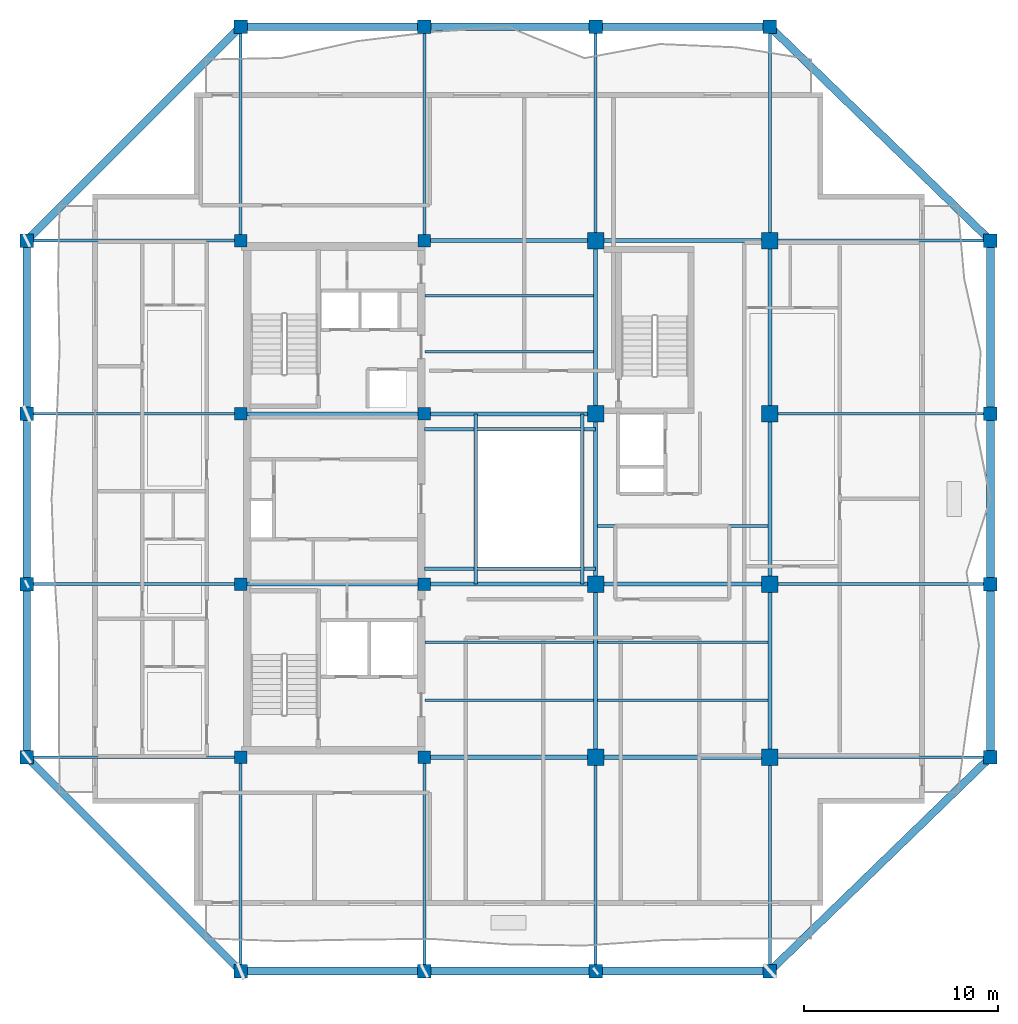
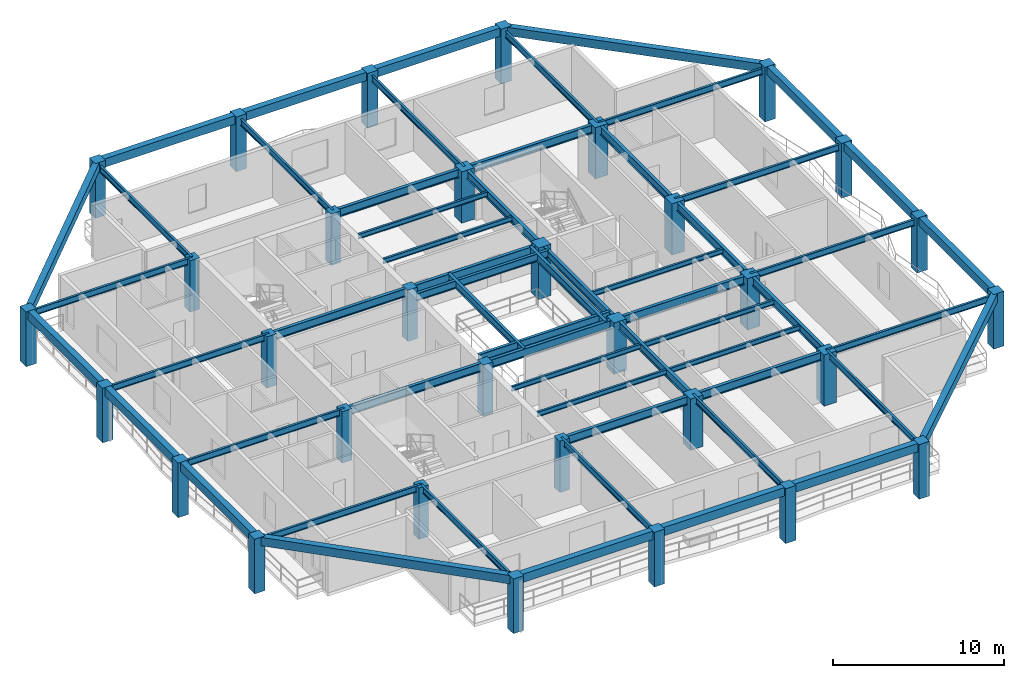
# One storey, part 1 of 11: 58 beams, 32 columns.
"""IFC4 building model written with IfcOpenShell, lengths in metres."""

from ifc_helpers import new_model, si_unit, direction, frame, origin, origin_2d, place, context, subcontext, project, spatial, rectangle, i_section, extrude, material, material_profile, profile_set, type_object, element, save


model = new_model("IFC4")

# Units and contexts
model_context = context("Model", 3, precision=1e-05, world=origin(), true_north=direction((0.0, 1.0)))
body_context = subcontext(model_context, "Body", "Model", "MODEL_VIEW")
ifc_project = project(units=[si_unit("LENGTHUNIT", "METRE"), si_unit("AREAUNIT", "SQUARE_METRE"), si_unit("VOLUMEUNIT", "CUBIC_METRE"), si_unit("PLANEANGLEUNIT", "RADIAN"), si_unit("MASSUNIT", "GRAM", prefix="KILO")], contexts=[model_context])

# Site, building, storey
site_placement = place(None, origin())
site = spatial("IfcSite", under=ifc_project, at=site_placement, CompositionType="ELEMENT")
building_placement = place(site_placement, origin())
building = spatial("IfcBuilding", under=site, at=building_placement, Name="Kundavana Baori Tower", CompositionType="ELEMENT")
storey_placement = place(building_placement, frame((0.0, 0.0, 264.800048828125)))
storey = spatial("IfcBuildingStorey", under=building, at=storey_placement, Name="L65", CompositionType="ELEMENT", Elevation=264.800048828125)

# Columns
ifc_material_1 = material(Name="Concrete C50/60", Category="concrete")
ifc_material_profile_1 = material_profile(ifc_material_1, rectangle(XDim=0.699951171875, YDim=0.699951171875, at=origin_2d()), Name="RC PF 700x700")
ifc_profile_set_1 = profile_set([ifc_material_profile_1], Name="Concrete C50/60")
column_type_1 = type_object("IfcColumnType", Name="COL-PF-700", PredefinedType="COLUMN", material=ifc_profile_set_1)
for number, where, z_axis, x_axis, name in (
    (1, (15.449951171875, 4.199951171875, 0.0), (0.0, 0.0, 1.0), (1.0, 0.0, 0.0), "L65 Stone-Clad Perimeter Frame Column PF-S1"),
    (2, (15.449951171875, 53.0, 0.0), (0.0, 0.0, 1.0), (1.0, 0.0, 0.0), "L65 Stone-Clad Perimeter Frame Column PF-N1"),
    (3, (24.949951171875, 4.199951171875, 0.0), (0.0, 0.0, 1.0), (1.0, 0.0, 0.0), "L65 Stone-Clad Perimeter Frame Column PF-S2"),
    (4, (24.949951171875, 53.0, 0.0), (0.0, 0.0, 1.0), (1.0, 0.0, 0.0), "L65 Stone-Clad Perimeter Frame Column PF-N2"),
    (5, (33.800048828125, 4.199951171875, 0.0), (0.0, 0.0, 1.0), (1.0, 0.0, 0.0), "L65 Stone-Clad Perimeter Frame Column PF-S3"),
    (6, (33.800048828125, 53.0, 0.0), (0.0, 0.0, 1.0), (1.0, 0.0, 0.0), "L65 Stone-Clad Perimeter Frame Column PF-N3"),
    (7, (42.800048828125, 4.199951171875, 0.0), (0.0, 0.0, 1.0), (1.0, 0.0, 0.0), "L65 Stone-Clad Perimeter Frame Column PF-S4"),
    (8, (42.800048828125, 53.0, 0.0), (0.0, 0.0, 1.0), (1.0, 0.0, 0.0), "L65 Stone-Clad Perimeter Frame Column PF-N4"),
    (9, (4.39990234375, 15.25, 0.0), (0.0, 0.0, 1.0), (1.0, 0.0, 0.0), "L65 Stone-Clad Perimeter Frame Column PF-W1"),
    (10, (54.199951171875, 15.25, 0.0), (0.0, 0.0, 1.0), (1.0, 0.0, 0.0), "L65 Stone-Clad Perimeter Frame Column PF-E1"),
    (11, (4.39990234375, 24.199951171875, 0.0), (0.0, 0.0, 1.0), (1.0, 0.0, 0.0), "L65 Stone-Clad Perimeter Frame Column PF-W2"),
    (12, (54.199951171875, 24.199951171875, 0.0), (0.0, 0.0, 1.0), (1.0, 0.0, 0.0), "L65 Stone-Clad Perimeter Frame Column PF-E2"),
    (13, (4.39990234375, 33.0, 0.0), (0.0, 0.0, 1.0), (1.0, 0.0, 0.0), "L65 Stone-Clad Perimeter Frame Column PF-W3"),
    (14, (54.199951171875, 33.0, 0.0), (0.0, 0.0, 1.0), (1.0, 0.0, 0.0), "L65 Stone-Clad Perimeter Frame Column PF-E3"),
    (15, (4.39990234375, 41.949951171875, 0.0), (0.0, 0.0, 1.0), (1.0, 0.0, 0.0), "L65 Stone-Clad Perimeter Frame Column PF-W4"),
    (16, (54.199951171875, 41.949951171875, 0.0), (0.0, 0.0, 1.0), (1.0, 0.0, 0.0), "L65 Stone-Clad Perimeter Frame Column PF-E4"),
):
    element("IfcColumn", number, at=place(storey_placement, frame(where, z_axis=z_axis, x_axis=x_axis)), inside=storey, type_object=column_type_1, Name=name, PredefinedType="COLUMN", context=body_context, shape_type="SweptSolid", body=[
        extrude(rectangle(XDim=0.699951171875, YDim=0.699951171875, at=origin_2d()), origin(), (0.0, 0.0, 1.0), 3.89990234375),
    ])
ifc_material_2 = material(Name="Concrete C50/60", Category="concrete")
ifc_material_profile_2 = material_profile(ifc_material_2, rectangle(XDim=0.64990234375, YDim=0.64990234375, at=origin_2d()), Name="RC 650x650")
ifc_profile_set_2 = profile_set([ifc_material_profile_2], Name="Concrete C50/60")
column_type_2 = type_object("IfcColumnType", Name="COL-RC-650", PredefinedType="COLUMN", material=ifc_profile_set_2)
for number, where, z_axis, x_axis, name in (
    (17, (15.449951171875, 15.25, 0.0), (0.0, 0.0, 1.0), (1.0, 0.0, 0.0), "L65 Interior Column IC-3C"),
    (18, (15.449951171875, 24.199951171875, 0.0), (0.0, 0.0, 1.0), (1.0, 0.0, 0.0), "L65 Interior Column IC-3D"),
    (19, (15.449951171875, 33.0, 0.0), (0.0, 0.0, 1.0), (1.0, 0.0, 0.0), "L65 Interior Column IC-3E"),
    (20, (15.449951171875, 41.949951171875, 0.0), (0.0, 0.0, 1.0), (1.0, 0.0, 0.0), "L65 Interior Column IC-3F"),
    (21, (24.949951171875, 15.25, 0.0), (0.0, 0.0, 1.0), (1.0, 0.0, 0.0), "L65 Interior Column IC-4C"),
    (22, (24.949951171875, 24.199951171875, 0.0), (0.0, 0.0, 1.0), (1.0, 0.0, 0.0), "L65 Interior Column IC-4D"),
    (23, (24.949951171875, 33.0, 0.0), (0.0, 0.0, 1.0), (1.0, 0.0, 0.0), "L65 Interior Column IC-4E"),
    (24, (24.949951171875, 41.949951171875, 0.0), (0.0, 0.0, 1.0), (1.0, 0.0, 0.0), "L65 Interior Column IC-4F"),
):
    element("IfcColumn", number, at=place(storey_placement, frame(where, z_axis=z_axis, x_axis=x_axis)), inside=storey, type_object=column_type_2, Name=name, PredefinedType="COLUMN", context=body_context, shape_type="SweptSolid", body=[
        extrude(rectangle(XDim=0.64990234375, YDim=0.64990234375, at=origin_2d()), origin(), (0.0, 0.0, 1.0), 3.659912109375),
    ])
ifc_material_3 = material(Name="Concrete C50/60", Category="concrete")
ifc_material_profile_3 = material_profile(ifc_material_3, rectangle(XDim=0.85009765625, YDim=0.85009765625, at=origin_2d()), Name="RC 850x850")
ifc_profile_set_3 = profile_set([ifc_material_profile_3], Name="Concrete C50/60")
column_type_3 = type_object("IfcColumnType", Name="COL-RC-850", PredefinedType="COLUMN", material=ifc_profile_set_3)
for number, where, z_axis, x_axis, name in (
    (25, (33.800048828125, 15.25, 0.0), (0.0, 0.0, 1.0), (1.0, 0.0, 0.0), "L65 Interior Column IC-5C"),
    (26, (33.800048828125, 24.199951171875, 0.0), (0.0, 0.0, 1.0), (1.0, 0.0, 0.0), "L65 Interior Column IC-5D"),
    (27, (33.800048828125, 33.0, 0.0), (0.0, 0.0, 1.0), (1.0, 0.0, 0.0), "L65 Interior Column IC-5E"),
    (28, (33.800048828125, 41.949951171875, 0.0), (0.0, 0.0, 1.0), (1.0, 0.0, 0.0), "L65 Interior Column IC-5F"),
    (29, (42.800048828125, 15.25, 0.0), (0.0, 0.0, 1.0), (1.0, 0.0, 0.0), "L65 Interior Column IC-6C"),
    (30, (42.800048828125, 24.199951171875, 0.0), (0.0, 0.0, 1.0), (1.0, 0.0, 0.0), "L65 Interior Column IC-6D"),
    (31, (42.800048828125, 33.0, 0.0), (0.0, 0.0, 1.0), (1.0, 0.0, 0.0), "L65 Interior Column IC-6E"),
    (32, (42.800048828125, 41.949951171875, 0.0), (0.0, 0.0, 1.0), (1.0, 0.0, 0.0), "L65 Interior Column IC-6F"),
):
    element("IfcColumn", number, at=place(storey_placement, frame(where, z_axis=z_axis, x_axis=x_axis)), inside=storey, type_object=column_type_3, Name=name, PredefinedType="COLUMN", context=body_context, shape_type="SweptSolid", body=[
        extrude(rectangle(XDim=0.85009765625, YDim=0.85009765625, at=origin_2d()), origin(), (0.0, 0.0, 1.0), 3.659912109375),
    ])

# Beams
ifc_material_4 = material(Name="Structural Steel S355JR", Category="steel")
ifc_material_profile_4 = material_profile(ifc_material_4, i_section(OverallWidth=0.139892578125, OverallDepth=0.35009765625, WebThickness=0.008056640625, FlangeThickness=0.01416015625, FilletRadius=0.013916015625, at=origin_2d()), Name="ISMB 350")
ifc_profile_set_4 = profile_set([ifc_material_profile_4], Name="Structural Steel S355JR")
beam_type_1 = type_object("IfcBeamType", Name="BM-JST-350", PredefinedType="JOIST", material=ifc_profile_set_4)
for number, where, z_axis, x_axis, name in (
    (33, (24.97998046875, 18.199951171875, 3.48486328125), (1.0, 0.0, 0.0), (0.0, 1.0, 0.0), "L65 Central Bay Composite Floor Joist C1"),
    (34, (24.97998046875, 21.199951171875, 3.48486328125), (1.0, 0.0, 0.0), (0.0, 1.0, 0.0), "L65 Central Bay Composite Floor Joist C2"),
    (35, (24.97998046875, 36.199951171875, 3.48486328125), (1.0, 0.0, 0.0), (0.0, 1.0, 0.0), "L65 Central Bay Composite Floor Joist C3"),
    (36, (24.97998046875, 39.10009765625, 3.48486328125), (1.0, 0.0, 0.0), (0.0, 1.0, 0.0), "L65 Central Bay Composite Floor Joist C4"),
):
    element("IfcBeam", number, at=place(storey_placement, frame(where, z_axis=z_axis, x_axis=x_axis)), inside=storey, type_object=beam_type_1, Name=name, PredefinedType="JOIST", context=body_context, shape_type="SweptSolid", body=[
        extrude(i_section(OverallWidth=0.139892578125, OverallDepth=0.35009765625, WebThickness=0.008056640625, FlangeThickness=0.01416015625, FilletRadius=0.013916015625, at=origin_2d()), origin(), (0.0, 0.0, 1.0), 8.715087890625),
    ])
for number, where, z_axis, x_axis, name in (
    (37, (33.905029296875, 18.199951171875, 3.48486328125), (1.0, 0.0, 0.0), (0.0, 1.0, 0.0), "L65 East Bay Composite Floor Joist E1"),
    (38, (33.905029296875, 21.199951171875, 3.48486328125), (1.0, 0.0, 0.0), (0.0, 1.0, 0.0), "L65 East Bay Composite Floor Joist E2"),
    (39, (33.905029296875, 27.199951171875, 3.48486328125), (1.0, 0.0, 0.0), (0.0, 1.0, 0.0), "L65 East Bay Composite Floor Joist E3"),
):
    element("IfcBeam", number, at=place(storey_placement, frame(where, z_axis=z_axis, x_axis=x_axis)), inside=storey, type_object=beam_type_1, Name=name, PredefinedType="JOIST", context=body_context, shape_type="SweptSolid", body=[
        extrude(i_section(OverallWidth=0.139892578125, OverallDepth=0.35009765625, WebThickness=0.008056640625, FlangeThickness=0.01416015625, FilletRadius=0.013916015625, at=origin_2d()), origin(), (0.0, 0.0, 1.0), 8.7900390625),
    ])
ifc_material_5 = material(Name="Concrete C50/60", Category="concrete")
ifc_material_profile_5 = material_profile(ifc_material_5, rectangle(XDim=0.39990234375, YDim=0.60009765625, at=origin_2d()), Name="RC BM 400x600")
ifc_profile_set_5 = profile_set([ifc_material_profile_5], Name="Concrete C50/60")
beam_type_2 = type_object("IfcBeamType", Name="BM-PF-600", PredefinedType="SPANDREL", material=ifc_profile_set_5)
beam_1_placement = place(storey_placement, frame((15.449951171875, 4.199951171875, 3.599853515625), z_axis=(1.0, 0.0, 0.0), x_axis=(0.0, 1.0, 0.0)))
element("IfcBeam", 40, at=beam_1_placement, inside=storey, type_object=beam_type_2, Name="L65 Perimeter Frame Ring Beam S1", PredefinedType="SPANDREL", context=body_context, shape_type="SweptSolid", body=[
    extrude(rectangle(XDim=0.39990234375, YDim=0.60009765625, at=origin_2d()), origin(), (0.0, 0.0, 1.0), 9.5),
])
beam_2_placement = place(storey_placement, frame((24.949951171875, 4.199951171875, 3.599853515625), z_axis=(1.0, 0.0, 0.0), x_axis=(0.0, 1.0, 0.0)))
element("IfcBeam", 41, at=beam_2_placement, inside=storey, type_object=beam_type_2, Name="L65 Perimeter Frame Ring Beam S2", PredefinedType="SPANDREL", context=body_context, shape_type="SweptSolid", body=[
    extrude(rectangle(XDim=0.39990234375, YDim=0.60009765625, at=origin_2d()), origin(), (0.0, 0.0, 1.0), 8.85009765625),
])
beam_3_placement = place(storey_placement, frame((33.800048828125, 4.199951171875, 3.599853515625), z_axis=(1.0, 0.0, 0.0), x_axis=(0.0, 1.0, 0.0)))
element("IfcBeam", 42, at=beam_3_placement, inside=storey, type_object=beam_type_2, Name="L65 Perimeter Frame Ring Beam S3", PredefinedType="SPANDREL", context=body_context, shape_type="SweptSolid", body=[
    extrude(rectangle(XDim=0.39990234375, YDim=0.60009765625, at=origin_2d()), origin(), (0.0, 0.0, 1.0), 9.0),
])
beam_4_placement = place(storey_placement, frame((15.449951171875, 53.0, 3.599853515625), z_axis=(1.0, 0.0, 0.0), x_axis=(0.0, 1.0, 0.0)))
element("IfcBeam", 43, at=beam_4_placement, inside=storey, type_object=beam_type_2, Name="L65 Perimeter Frame Ring Beam N1", PredefinedType="SPANDREL", context=body_context, shape_type="SweptSolid", body=[
    extrude(rectangle(XDim=0.39990234375, YDim=0.60009765625, at=origin_2d()), origin(), (0.0, 0.0, 1.0), 9.5),
])
beam_5_placement = place(storey_placement, frame((24.949951171875, 53.0, 3.599853515625), z_axis=(1.0, 0.0, 0.0), x_axis=(0.0, 1.0, 0.0)))
element("IfcBeam", 44, at=beam_5_placement, inside=storey, type_object=beam_type_2, Name="L65 Perimeter Frame Ring Beam N2", PredefinedType="SPANDREL", context=body_context, shape_type="SweptSolid", body=[
    extrude(rectangle(XDim=0.39990234375, YDim=0.60009765625, at=origin_2d()), origin(), (0.0, 0.0, 1.0), 8.85009765625),
])
beam_6_placement = place(storey_placement, frame((33.800048828125, 53.0, 3.599853515625), z_axis=(1.0, 0.0, 0.0), x_axis=(0.0, 1.0, 0.0)))
element("IfcBeam", 45, at=beam_6_placement, inside=storey, type_object=beam_type_2, Name="L65 Perimeter Frame Ring Beam N3", PredefinedType="SPANDREL", context=body_context, shape_type="SweptSolid", body=[
    extrude(rectangle(XDim=0.39990234375, YDim=0.60009765625, at=origin_2d()), origin(), (0.0, 0.0, 1.0), 9.0),
])
beam_7_placement = place(storey_placement, frame((4.39990234375, 15.25, 3.599853515625), z_axis=(0.0, 1.0, 0.0), x_axis=(-1.0, 0.0, 0.0)))
element("IfcBeam", 46, at=beam_7_placement, inside=storey, type_object=beam_type_2, Name="L65 Perimeter Frame Ring Beam W1", PredefinedType="SPANDREL", context=body_context, shape_type="SweptSolid", body=[
    extrude(rectangle(XDim=0.39990234375, YDim=0.60009765625, at=origin_2d()), origin(), (0.0, 0.0, 1.0), 8.949951171875),
])
beam_8_placement = place(storey_placement, frame((4.39990234375, 24.199951171875, 3.599853515625), z_axis=(0.0, 1.0, 0.0), x_axis=(-1.0, 0.0, 0.0)))
element("IfcBeam", 47, at=beam_8_placement, inside=storey, type_object=beam_type_2, Name="L65 Perimeter Frame Ring Beam W2", PredefinedType="SPANDREL", context=body_context, shape_type="SweptSolid", body=[
    extrude(rectangle(XDim=0.39990234375, YDim=0.60009765625, at=origin_2d()), origin(), (0.0, 0.0, 1.0), 8.800048828125),
])
for number, where, z_axis, x_axis, name in (
    (48, (4.39990234375, 33.0, 3.599853515625), (0.0, 1.0, 0.0), (-1.0, 0.0, 0.0), "L65 Perimeter Frame Ring Beam W3"),
    (49, (54.199951171875, 15.25, 3.599853515625), (0.0, 1.0, 0.0), (-1.0, 0.0, 0.0), "L65 Perimeter Frame Ring Beam E1"),
):
    element("IfcBeam", number, at=place(storey_placement, frame(where, z_axis=z_axis, x_axis=x_axis)), inside=storey, type_object=beam_type_2, Name=name, PredefinedType="SPANDREL", context=body_context, shape_type="SweptSolid", body=[
        extrude(rectangle(XDim=0.39990234375, YDim=0.60009765625, at=origin_2d()), origin(), (0.0, 0.0, 1.0), 8.949951171875),
    ])
beam_9_placement = place(storey_placement, frame((54.199951171875, 24.199951171875, 3.599853515625), z_axis=(0.0, 1.0, 0.0), x_axis=(-1.0, 0.0, 0.0)))
element("IfcBeam", 50, at=beam_9_placement, inside=storey, type_object=beam_type_2, Name="L65 Perimeter Frame Ring Beam E2", PredefinedType="SPANDREL", context=body_context, shape_type="SweptSolid", body=[
    extrude(rectangle(XDim=0.39990234375, YDim=0.60009765625, at=origin_2d()), origin(), (0.0, 0.0, 1.0), 8.800048828125),
])
beam_10_placement = place(storey_placement, frame((54.199951171875, 33.0, 3.599853515625), z_axis=(0.0, 1.0, 0.0), x_axis=(-1.0, 0.0, 0.0)))
element("IfcBeam", 51, at=beam_10_placement, inside=storey, type_object=beam_type_2, Name="L65 Perimeter Frame Ring Beam E3", PredefinedType="SPANDREL", context=body_context, shape_type="SweptSolid", body=[
    extrude(rectangle(XDim=0.39990234375, YDim=0.60009765625, at=origin_2d()), origin(), (0.0, 0.0, 1.0), 8.949951171875),
])
beam_11_placement = place(storey_placement, frame((15.449951171875, 4.199951171875, 3.599853515625), z_axis=(-0.707106781187, 0.707106781187, 0.0), x_axis=(-0.707106781187, -0.707106781187, 0.0)))
element("IfcBeam", 52, at=beam_11_placement, inside=storey, type_object=beam_type_2, Name="L65 Notched Corner Perimeter Beam SW", PredefinedType="SPANDREL", context=body_context, shape_type="SweptSolid", body=[
    extrude(rectangle(XDim=0.39990234375, YDim=0.60009765625, at=origin_2d()), origin(), (0.0, 0.0, 1.0), 15.627197265625),
])
beam_12_placement = place(storey_placement, frame((42.800048828125, 4.199951171875, 3.599853515625), z_axis=(0.718038944492, 0.696002926857, 0.0), x_axis=(-0.696002926857, 0.718038944492, 0.0)))
element("IfcBeam", 53, at=beam_12_placement, inside=storey, type_object=beam_type_2, Name="L65 Notched Corner Perimeter Beam SE", PredefinedType="SPANDREL", context=body_context, shape_type="SweptSolid", body=[
    extrude(rectangle(XDim=0.39990234375, YDim=0.60009765625, at=origin_2d()), origin(), (0.0, 0.0, 1.0), 15.87646484375),
])
beam_13_placement = place(storey_placement, frame((15.449951171875, 53.0, 3.599853515625), z_axis=(-0.707106781187, -0.707106781187, 0.0), x_axis=(0.707106781187, -0.707106781187, 0.0)))
element("IfcBeam", 54, at=beam_13_placement, inside=storey, type_object=beam_type_2, Name="L65 Notched Corner Perimeter Beam NW", PredefinedType="SPANDREL", context=body_context, shape_type="SweptSolid", body=[
    extrude(rectangle(XDim=0.39990234375, YDim=0.60009765625, at=origin_2d()), origin(), (0.0, 0.0, 1.0), 15.627197265625),
])
beam_14_placement = place(storey_placement, frame((42.800048828125, 53.0, 3.599853515625), z_axis=(0.718038944492, -0.696002926857, 0.0), x_axis=(0.696002926857, 0.718038944492, 0.0)))
element("IfcBeam", 55, at=beam_14_placement, inside=storey, type_object=beam_type_2, Name="L65 Notched Corner Perimeter Beam NE", PredefinedType="SPANDREL", context=body_context, shape_type="SweptSolid", body=[
    extrude(rectangle(XDim=0.39990234375, YDim=0.60009765625, at=origin_2d()), origin(), (0.0, 0.0, 1.0), 15.87646484375),
])
ifc_material_6 = material(Name="Structural Steel S355JR", Category="steel")
ifc_material_profile_6 = material_profile(ifc_material_6, i_section(OverallWidth=0.18994140625, OverallDepth=0.550048828125, WebThickness=0.01123046875, FlangeThickness=0.019287109375, FilletRadius=0.01806640625, at=origin_2d()), Name="ISMB 550")
ifc_profile_set_6 = profile_set([ifc_material_profile_6], Name="Structural Steel S355JR")
beam_type_3 = type_object("IfcBeamType", Name="BM-ST-550", PredefinedType="BEAM", material=ifc_profile_set_6)
for number, where, z_axis, x_axis, name in (
    (56, (27.60009765625, 24.199951171875, 3.385009765625), (0.0, 1.0, 0.0), (-1.0, 0.0, 0.0), "L65 Atrium West Edge Beam"),
    (57, (33.10009765625, 24.199951171875, 3.385009765625), (0.0, 1.0, 0.0), (-1.0, 0.0, 0.0), "L65 Atrium East Edge Beam"),
):
    element("IfcBeam", number, at=place(storey_placement, frame(where, z_axis=z_axis, x_axis=x_axis)), inside=storey, type_object=beam_type_3, Name=name, PredefinedType="BEAM", context=body_context, shape_type="SweptSolid", body=[
        extrude(i_section(OverallWidth=0.18994140625, OverallDepth=0.550048828125, WebThickness=0.01123046875, FlangeThickness=0.019287109375, FilletRadius=0.01806640625, at=origin_2d()), origin(), (0.0, 0.0, 1.0), 8.800048828125),
    ])
for number, where, z_axis, x_axis, name in (
    (58, (24.949951171875, 25.0, 3.385009765625), (1.0, 0.0, 0.0), (0.0, 1.0, 0.0), "L65 Atrium South Edge Beam"),
    (59, (24.949951171875, 32.199951171875, 3.385009765625), (1.0, 0.0, 0.0), (0.0, 1.0, 0.0), "L65 Atrium North Edge Beam"),
):
    element("IfcBeam", number, at=place(storey_placement, frame(where, z_axis=z_axis, x_axis=x_axis)), inside=storey, type_object=beam_type_3, Name=name, PredefinedType="BEAM", context=body_context, shape_type="SweptSolid", body=[
        extrude(i_section(OverallWidth=0.18994140625, OverallDepth=0.550048828125, WebThickness=0.01123046875, FlangeThickness=0.019287109375, FilletRadius=0.01806640625, at=origin_2d()), origin(), (0.0, 0.0, 1.0), 8.85009765625),
    ])
ifc_material_7 = material(Name="Structural Steel S355JR", Category="steel")
ifc_material_profile_7 = material_profile(ifc_material_7, i_section(OverallWidth=0.2099609375, OverallDepth=0.60009765625, WebThickness=0.011962890625, FlangeThickness=0.020751953125, FilletRadius=0.02001953125, at=origin_2d()), Name="ISMB 600")
ifc_profile_set_7 = profile_set([ifc_material_profile_7], Name="Structural Steel S355JR")
beam_type_4 = type_object("IfcBeamType", Name="BM-ST-600", PredefinedType="BEAM", material=ifc_profile_set_7)
beam_15_placement = place(storey_placement, frame((24.949951171875, 15.25, 3.35986328125), z_axis=(1.0, 0.0, 0.0), x_axis=(0.0, 1.0, 0.0)))
element("IfcBeam", 60, at=beam_15_placement, inside=storey, type_object=beam_type_4, Name="L65 Primary Grid Girder GX-1-2", PredefinedType="BEAM", context=body_context, shape_type="SweptSolid", body=[
    extrude(i_section(OverallWidth=0.2099609375, OverallDepth=0.60009765625, WebThickness=0.011962890625, FlangeThickness=0.020751953125, FilletRadius=0.02001953125, at=origin_2d()), origin(), (0.0, 0.0, 1.0), 8.85009765625),
])
beam_16_placement = place(storey_placement, frame((33.800048828125, 15.25, 3.35986328125), z_axis=(1.0, 0.0, 0.0), x_axis=(0.0, 1.0, 0.0)))
element("IfcBeam", 61, at=beam_16_placement, inside=storey, type_object=beam_type_4, Name="L65 Primary Grid Girder GX-1-3", PredefinedType="BEAM", context=body_context, shape_type="SweptSolid", body=[
    extrude(i_section(OverallWidth=0.2099609375, OverallDepth=0.60009765625, WebThickness=0.011962890625, FlangeThickness=0.020751953125, FilletRadius=0.02001953125, at=origin_2d()), origin(), (0.0, 0.0, 1.0), 9.0),
])
beam_17_placement = place(storey_placement, frame((15.449951171875, 24.199951171875, 3.35986328125), z_axis=(1.0, 0.0, 0.0), x_axis=(0.0, 1.0, 0.0)))
element("IfcBeam", 62, at=beam_17_placement, inside=storey, type_object=beam_type_4, Name="L65 Primary Grid Girder GX-2-1", PredefinedType="BEAM", context=body_context, shape_type="SweptSolid", body=[
    extrude(i_section(OverallWidth=0.2099609375, OverallDepth=0.60009765625, WebThickness=0.011962890625, FlangeThickness=0.020751953125, FilletRadius=0.02001953125, at=origin_2d()), origin(), (0.0, 0.0, 1.0), 9.5),
])
beam_18_placement = place(storey_placement, frame((24.949951171875, 24.199951171875, 3.35986328125), z_axis=(1.0, 0.0, 0.0), x_axis=(0.0, 1.0, 0.0)))
element("IfcBeam", 63, at=beam_18_placement, inside=storey, type_object=beam_type_4, Name="L65 Primary Grid Girder GX-2-2", PredefinedType="BEAM", context=body_context, shape_type="SweptSolid", body=[
    extrude(i_section(OverallWidth=0.2099609375, OverallDepth=0.60009765625, WebThickness=0.011962890625, FlangeThickness=0.020751953125, FilletRadius=0.02001953125, at=origin_2d()), origin(), (0.0, 0.0, 1.0), 8.85009765625),
])
beam_19_placement = place(storey_placement, frame((33.800048828125, 24.199951171875, 3.35986328125), z_axis=(1.0, 0.0, 0.0), x_axis=(0.0, 1.0, 0.0)))
element("IfcBeam", 64, at=beam_19_placement, inside=storey, type_object=beam_type_4, Name="L65 Primary Grid Girder GX-2-3", PredefinedType="BEAM", context=body_context, shape_type="SweptSolid", body=[
    extrude(i_section(OverallWidth=0.2099609375, OverallDepth=0.60009765625, WebThickness=0.011962890625, FlangeThickness=0.020751953125, FilletRadius=0.02001953125, at=origin_2d()), origin(), (0.0, 0.0, 1.0), 9.0),
])
beam_20_placement = place(storey_placement, frame((15.449951171875, 33.0, 3.35986328125), z_axis=(1.0, 0.0, 0.0), x_axis=(0.0, 1.0, 0.0)))
element("IfcBeam", 65, at=beam_20_placement, inside=storey, type_object=beam_type_4, Name="L65 Primary Grid Girder GX-3-1", PredefinedType="BEAM", context=body_context, shape_type="SweptSolid", body=[
    extrude(i_section(OverallWidth=0.2099609375, OverallDepth=0.60009765625, WebThickness=0.011962890625, FlangeThickness=0.020751953125, FilletRadius=0.02001953125, at=origin_2d()), origin(), (0.0, 0.0, 1.0), 9.5),
])
for number, where, z_axis, x_axis, name in (
    (66, (24.949951171875, 33.0, 3.35986328125), (1.0, 0.0, 0.0), (0.0, 1.0, 0.0), "L65 Primary Grid Girder GX-3-2"),
    (67, (24.949951171875, 41.949951171875, 3.35986328125), (1.0, 0.0, 0.0), (0.0, 1.0, 0.0), "L65 Primary Grid Girder GX-4-2"),
):
    element("IfcBeam", number, at=place(storey_placement, frame(where, z_axis=z_axis, x_axis=x_axis)), inside=storey, type_object=beam_type_4, Name=name, PredefinedType="BEAM", context=body_context, shape_type="SweptSolid", body=[
        extrude(i_section(OverallWidth=0.2099609375, OverallDepth=0.60009765625, WebThickness=0.011962890625, FlangeThickness=0.020751953125, FilletRadius=0.02001953125, at=origin_2d()), origin(), (0.0, 0.0, 1.0), 8.85009765625),
    ])
beam_21_placement = place(storey_placement, frame((33.800048828125, 41.949951171875, 3.35986328125), z_axis=(1.0, 0.0, 0.0), x_axis=(0.0, 1.0, 0.0)))
element("IfcBeam", 68, at=beam_21_placement, inside=storey, type_object=beam_type_4, Name="L65 Primary Grid Girder GX-4-3", PredefinedType="BEAM", context=body_context, shape_type="SweptSolid", body=[
    extrude(i_section(OverallWidth=0.2099609375, OverallDepth=0.60009765625, WebThickness=0.011962890625, FlangeThickness=0.020751953125, FilletRadius=0.02001953125, at=origin_2d()), origin(), (0.0, 0.0, 1.0), 9.0),
])
beam_22_placement = place(storey_placement, frame((33.800048828125, 15.25, 3.35986328125), z_axis=(0.0, 1.0, 0.0), x_axis=(-1.0, 0.0, 0.0)))
element("IfcBeam", 69, at=beam_22_placement, inside=storey, type_object=beam_type_4, Name="L65 Primary Grid Girder GY-3-1", PredefinedType="BEAM", context=body_context, shape_type="SweptSolid", body=[
    extrude(i_section(OverallWidth=0.2099609375, OverallDepth=0.60009765625, WebThickness=0.011962890625, FlangeThickness=0.020751953125, FilletRadius=0.02001953125, at=origin_2d()), origin(), (0.0, 0.0, 1.0), 8.949951171875),
])
beam_23_placement = place(storey_placement, frame((33.800048828125, 24.199951171875, 3.35986328125), z_axis=(0.0, 1.0, 0.0), x_axis=(-1.0, 0.0, 0.0)))
element("IfcBeam", 70, at=beam_23_placement, inside=storey, type_object=beam_type_4, Name="L65 Primary Grid Girder GY-3-2", PredefinedType="BEAM", context=body_context, shape_type="SweptSolid", body=[
    extrude(i_section(OverallWidth=0.2099609375, OverallDepth=0.60009765625, WebThickness=0.011962890625, FlangeThickness=0.020751953125, FilletRadius=0.02001953125, at=origin_2d()), origin(), (0.0, 0.0, 1.0), 8.800048828125),
])
for number, where, z_axis, x_axis, name in (
    (71, (33.800048828125, 33.0, 3.35986328125), (0.0, 1.0, 0.0), (-1.0, 0.0, 0.0), "L65 Primary Grid Girder GY-3-3"),
    (72, (42.800048828125, 15.25, 3.35986328125), (0.0, 1.0, 0.0), (-1.0, 0.0, 0.0), "L65 Primary Grid Girder GY-4-1"),
):
    element("IfcBeam", number, at=place(storey_placement, frame(where, z_axis=z_axis, x_axis=x_axis)), inside=storey, type_object=beam_type_4, Name=name, PredefinedType="BEAM", context=body_context, shape_type="SweptSolid", body=[
        extrude(i_section(OverallWidth=0.2099609375, OverallDepth=0.60009765625, WebThickness=0.011962890625, FlangeThickness=0.020751953125, FilletRadius=0.02001953125, at=origin_2d()), origin(), (0.0, 0.0, 1.0), 8.949951171875),
    ])
beam_24_placement = place(storey_placement, frame((42.800048828125, 24.199951171875, 3.35986328125), z_axis=(0.0, 1.0, 0.0), x_axis=(-1.0, 0.0, 0.0)))
element("IfcBeam", 73, at=beam_24_placement, inside=storey, type_object=beam_type_4, Name="L65 Primary Grid Girder GY-4-2", PredefinedType="BEAM", context=body_context, shape_type="SweptSolid", body=[
    extrude(i_section(OverallWidth=0.2099609375, OverallDepth=0.60009765625, WebThickness=0.011962890625, FlangeThickness=0.020751953125, FilletRadius=0.02001953125, at=origin_2d()), origin(), (0.0, 0.0, 1.0), 8.800048828125),
])
beam_25_placement = place(storey_placement, frame((42.800048828125, 33.0, 3.35986328125), z_axis=(0.0, 1.0, 0.0), x_axis=(-1.0, 0.0, 0.0)))
element("IfcBeam", 74, at=beam_25_placement, inside=storey, type_object=beam_type_4, Name="L65 Primary Grid Girder GY-4-3", PredefinedType="BEAM", context=body_context, shape_type="SweptSolid", body=[
    extrude(i_section(OverallWidth=0.2099609375, OverallDepth=0.60009765625, WebThickness=0.011962890625, FlangeThickness=0.020751953125, FilletRadius=0.02001953125, at=origin_2d()), origin(), (0.0, 0.0, 1.0), 8.949951171875),
])
ifc_material_8 = material(Name="Structural Steel S355JR", Category="steel")
ifc_material_profile_8 = material_profile(ifc_material_8, i_section(OverallWidth=0.14990234375, OverallDepth=0.449951171875, WebThickness=0.009521484375, FlangeThickness=0.017333984375, FilletRadius=0.014892578125, at=origin_2d()), Name="ISMB 450")
ifc_profile_set_8 = profile_set([ifc_material_profile_8], Name="Structural Steel S355JR")
beam_type_5 = type_object("IfcBeamType", Name="BM-TIE-450", PredefinedType="BEAM", material=ifc_profile_set_8)
for number, where, z_axis, x_axis, name in (
    (75, (15.449951171875, 15.25, 3.43505859375), (0.0, -1.0, 0.0), (1.0, 0.0, 0.0), "L65 South Radial Loggia Tie Beam S1"),
    (76, (15.449951171875, 41.949951171875, 3.43505859375), (0.0, 1.0, 0.0), (-1.0, 0.0, 0.0), "L65 North Radial Loggia Tie Beam N1"),
    (77, (24.949951171875, 15.25, 3.43505859375), (0.0, -1.0, 0.0), (1.0, 0.0, 0.0), "L65 South Radial Loggia Tie Beam S2"),
    (78, (24.949951171875, 41.949951171875, 3.43505859375), (0.0, 1.0, 0.0), (-1.0, 0.0, 0.0), "L65 North Radial Loggia Tie Beam N2"),
    (79, (33.800048828125, 15.25, 3.43505859375), (0.0, -1.0, 0.0), (1.0, 0.0, 0.0), "L65 South Radial Loggia Tie Beam S3"),
    (80, (33.800048828125, 41.949951171875, 3.43505859375), (0.0, 1.0, 0.0), (-1.0, 0.0, 0.0), "L65 North Radial Loggia Tie Beam N3"),
    (81, (42.800048828125, 15.25, 3.43505859375), (0.0, -1.0, 0.0), (1.0, 0.0, 0.0), "L65 South Radial Loggia Tie Beam S4"),
    (82, (42.800048828125, 41.949951171875, 3.43505859375), (0.0, 1.0, 0.0), (-1.0, 0.0, 0.0), "L65 North Radial Loggia Tie Beam N4"),
    (83, (15.449951171875, 15.25, 3.43505859375), (-1.0, 0.0, 0.0), (0.0, -1.0, 0.0), "L65 West Radial Loggia Tie Beam W1"),
):
    element("IfcBeam", number, at=place(storey_placement, frame(where, z_axis=z_axis, x_axis=x_axis)), inside=storey, type_object=beam_type_5, Name=name, PredefinedType="BEAM", context=body_context, shape_type="SweptSolid", body=[
        extrude(i_section(OverallWidth=0.14990234375, OverallDepth=0.449951171875, WebThickness=0.009521484375, FlangeThickness=0.017333984375, FilletRadius=0.014892578125, at=origin_2d()), origin(), (0.0, 0.0, 1.0), 11.050048828125),
    ])
beam_26_placement = place(storey_placement, frame((42.800048828125, 15.25, 3.43505859375), z_axis=(1.0, 0.0, 0.0), x_axis=(0.0, 1.0, 0.0)))
element("IfcBeam", 84, at=beam_26_placement, inside=storey, type_object=beam_type_5, Name="L65 East Radial Loggia Tie Beam E1", PredefinedType="BEAM", context=body_context, shape_type="SweptSolid", body=[
    extrude(i_section(OverallWidth=0.14990234375, OverallDepth=0.449951171875, WebThickness=0.009521484375, FlangeThickness=0.017333984375, FilletRadius=0.014892578125, at=origin_2d()), origin(), (0.0, 0.0, 1.0), 11.39990234375),
])
beam_27_placement = place(storey_placement, frame((15.449951171875, 24.199951171875, 3.43505859375), z_axis=(-1.0, 0.0, 0.0), x_axis=(0.0, -1.0, 0.0)))
element("IfcBeam", 85, at=beam_27_placement, inside=storey, type_object=beam_type_5, Name="L65 West Radial Loggia Tie Beam W2", PredefinedType="BEAM", context=body_context, shape_type="SweptSolid", body=[
    extrude(i_section(OverallWidth=0.14990234375, OverallDepth=0.449951171875, WebThickness=0.009521484375, FlangeThickness=0.017333984375, FilletRadius=0.014892578125, at=origin_2d()), origin(), (0.0, 0.0, 1.0), 11.050048828125),
])
beam_28_placement = place(storey_placement, frame((42.800048828125, 24.199951171875, 3.43505859375), z_axis=(1.0, 0.0, 0.0), x_axis=(0.0, 1.0, 0.0)))
element("IfcBeam", 86, at=beam_28_placement, inside=storey, type_object=beam_type_5, Name="L65 East Radial Loggia Tie Beam E2", PredefinedType="BEAM", context=body_context, shape_type="SweptSolid", body=[
    extrude(i_section(OverallWidth=0.14990234375, OverallDepth=0.449951171875, WebThickness=0.009521484375, FlangeThickness=0.017333984375, FilletRadius=0.014892578125, at=origin_2d()), origin(), (0.0, 0.0, 1.0), 11.39990234375),
])
beam_29_placement = place(storey_placement, frame((15.449951171875, 33.0, 3.43505859375), z_axis=(-1.0, 0.0, 0.0), x_axis=(0.0, -1.0, 0.0)))
element("IfcBeam", 87, at=beam_29_placement, inside=storey, type_object=beam_type_5, Name="L65 West Radial Loggia Tie Beam W3", PredefinedType="BEAM", context=body_context, shape_type="SweptSolid", body=[
    extrude(i_section(OverallWidth=0.14990234375, OverallDepth=0.449951171875, WebThickness=0.009521484375, FlangeThickness=0.017333984375, FilletRadius=0.014892578125, at=origin_2d()), origin(), (0.0, 0.0, 1.0), 11.050048828125),
])
beam_30_placement = place(storey_placement, frame((42.800048828125, 33.0, 3.43505859375), z_axis=(1.0, 0.0, 0.0), x_axis=(0.0, 1.0, 0.0)))
element("IfcBeam", 88, at=beam_30_placement, inside=storey, type_object=beam_type_5, Name="L65 East Radial Loggia Tie Beam E3", PredefinedType="BEAM", context=body_context, shape_type="SweptSolid", body=[
    extrude(i_section(OverallWidth=0.14990234375, OverallDepth=0.449951171875, WebThickness=0.009521484375, FlangeThickness=0.017333984375, FilletRadius=0.014892578125, at=origin_2d()), origin(), (0.0, 0.0, 1.0), 11.39990234375),
])
beam_31_placement = place(storey_placement, frame((15.449951171875, 41.949951171875, 3.43505859375), z_axis=(-1.0, 0.0, 0.0), x_axis=(0.0, -1.0, 0.0)))
element("IfcBeam", 89, at=beam_31_placement, inside=storey, type_object=beam_type_5, Name="L65 West Radial Loggia Tie Beam W4", PredefinedType="BEAM", context=body_context, shape_type="SweptSolid", body=[
    extrude(i_section(OverallWidth=0.14990234375, OverallDepth=0.449951171875, WebThickness=0.009521484375, FlangeThickness=0.017333984375, FilletRadius=0.014892578125, at=origin_2d()), origin(), (0.0, 0.0, 1.0), 11.050048828125),
])
beam_32_placement = place(storey_placement, frame((42.800048828125, 41.949951171875, 3.43505859375), z_axis=(1.0, 0.0, 0.0), x_axis=(0.0, 1.0, 0.0)))
element("IfcBeam", 90, at=beam_32_placement, inside=storey, type_object=beam_type_5, Name="L65 East Radial Loggia Tie Beam E4", PredefinedType="BEAM", context=body_context, shape_type="SweptSolid", body=[
    extrude(i_section(OverallWidth=0.14990234375, OverallDepth=0.449951171875, WebThickness=0.009521484375, FlangeThickness=0.017333984375, FilletRadius=0.014892578125, at=origin_2d()), origin(), (0.0, 0.0, 1.0), 11.39990234375),
])

save(model, "model.ifc")
